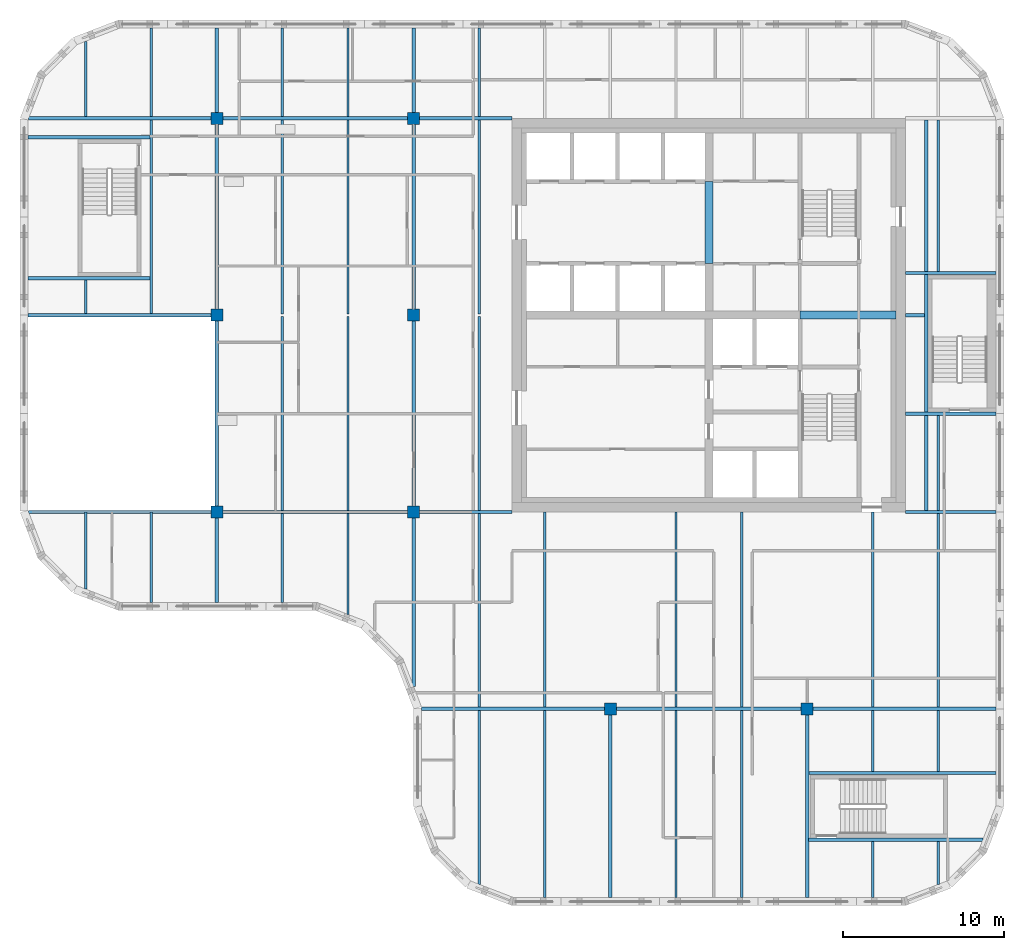
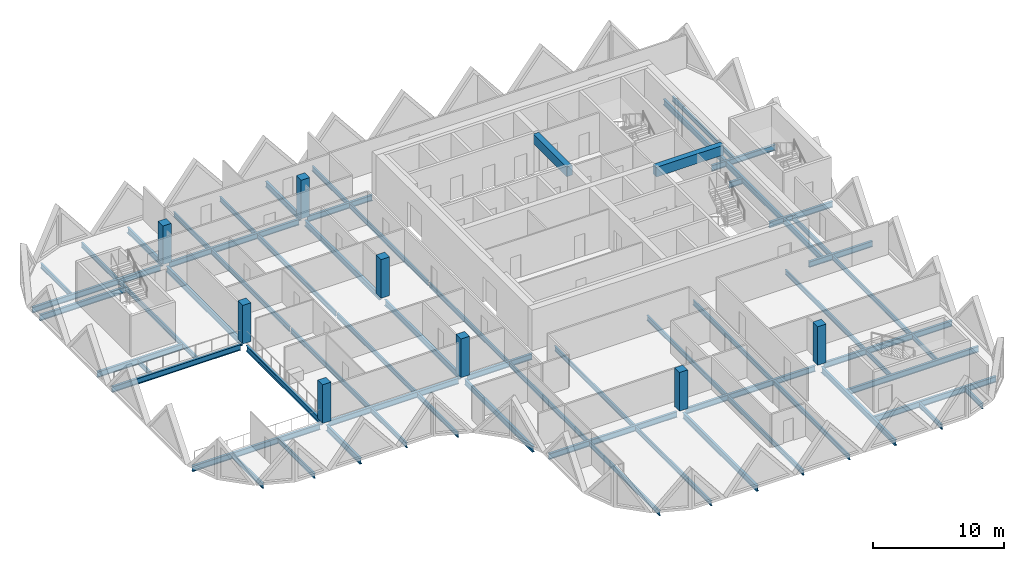
# One storey, part 1 of 12: 64 beams, 8 columns.
"""IFC4 building model written with IfcOpenShell, lengths in metres."""

from ifc_helpers import new_model, si_unit, direction, frame, origin, origin_2d, place, context, subcontext, project, spatial, rectangle, i_section, extrude, material, material_profile, profile_set, type_object, element, save


model = new_model("IFC4")

# Units and contexts
model_context = context("Model", 3, precision=1e-05, world=origin(), true_north=direction((0.0, 1.0)))
body_context = subcontext(model_context, "Body", "Model", "MODEL_VIEW")
ifc_project = project(units=[si_unit("LENGTHUNIT", "METRE"), si_unit("AREAUNIT", "SQUARE_METRE"), si_unit("VOLUMEUNIT", "CUBIC_METRE"), si_unit("PLANEANGLEUNIT", "RADIAN"), si_unit("MASSUNIT", "GRAM", prefix="KILO")], contexts=[model_context])

# Site, building, storey
site_placement = place(None, origin())
site = spatial("IfcSite", under=ifc_project, at=site_placement, CompositionType="ELEMENT")
building_placement = place(site_placement, origin())
building = spatial("IfcBuilding", under=site, at=building_placement, Name="Tessera Gate Towers", CompositionType="ELEMENT")
storey_placement = place(building_placement, frame((0.0, 0.0, 155.39990234375)))
storey = spatial("IfcBuildingStorey", under=building, at=storey_placement, Name="L38", CompositionType="ELEMENT", Elevation=155.39990234375)

# Columns
ifc_material_1 = material(Name="Concrete C70/85", Category="concrete")
ifc_material_profile_1 = material_profile(ifc_material_1, rectangle(XDim=0.75, YDim=0.75, at=origin_2d()), Name="RC 750x750")
ifc_profile_set_1 = profile_set([ifc_material_profile_1], Name="Concrete C70/85")
column_type = type_object("IfcColumnType", Name="COLUMN RC 750x750", PredefinedType="COLUMN", material=ifc_profile_set_1)
for number, where, z_axis, x_axis, name in (
    (1, (12.199951171875, 24.39990234375, 0.0), (0.0, 0.0, 1.0), (1.0, 0.0, 0.0), "T1-COL-2C-L38"),
    (2, (12.199951171875, 36.60009765625, 0.0), (0.0, 0.0, 1.0), (1.0, 0.0, 0.0), "T1-COL-2D-L38"),
    (3, (12.199951171875, 48.800048828125, 0.0), (0.0, 0.0, 1.0), (1.0, 0.0, 0.0), "T1-COL-2E-L38"),
    (4, (24.39990234375, 24.39990234375, 0.0), (0.0, 0.0, 1.0), (1.0, 0.0, 0.0), "T1-COL-3C-L38"),
    (5, (24.39990234375, 36.60009765625, 0.0), (0.0, 0.0, 1.0), (1.0, 0.0, 0.0), "T1-COL-3D-L38"),
    (6, (24.39990234375, 48.800048828125, 0.0), (0.0, 0.0, 1.0), (1.0, 0.0, 0.0), "T1-COL-3E-L38"),
    (7, (36.60009765625, 12.199951171875, 0.0), (0.0, 0.0, 1.0), (1.0, 0.0, 0.0), "T1-COL-4B-L38"),
    (8, (48.800048828125, 12.199951171875, 0.0), (0.0, 0.0, 1.0), (1.0, 0.0, 0.0), "T1-COL-5B-L38"),
):
    element("IfcColumn", number, at=place(storey_placement, frame(where, z_axis=z_axis, x_axis=x_axis)), inside=storey, type_object=column_type, Name=name, PredefinedType="COLUMN", context=body_context, shape_type="SweptSolid", body=[
        extrude(rectangle(XDim=0.75, YDim=0.75, at=origin_2d()), origin(), (0.0, 0.0, 1.0), 3.60009765625),
    ])

# Beams
ifc_material_2 = material(Name="Concrete C50/60", Category="concrete")
ifc_material_profile_2 = material_profile(ifc_material_2, rectangle(XDim=0.5, YDim=0.89990234375, at=origin_2d()), Name="RC 500x900")
ifc_profile_set_2 = profile_set([ifc_material_profile_2], Name="Concrete C50/60")
beam_type_1 = type_object("IfcBeamType", Name="COUPLING BEAM 500x900 C50/60", PredefinedType="BEAM", material=ifc_profile_set_2)
beam_1_placement = place(storey_placement, frame((48.35009765625, 36.60009765625, 3.150146484375), z_axis=(1.0, 0.0, 0.0), x_axis=(0.0, 1.0, 0.0)))
element("IfcBeam", 9, at=beam_1_placement, inside=storey, type_object=beam_type_1, Name="L38 coupling beam 1", PredefinedType="BEAM", context=body_context, shape_type="SweptSolid", body=[
    extrude(rectangle(XDim=0.5, YDim=0.89990234375, at=origin_2d()), origin(), (0.0, 0.0, 1.0), 5.949951171875),
])
beam_2_placement = place(storey_placement, frame((42.699951171875, 39.800048828125, 3.150146484375), z_axis=(0.0, 1.0, 0.0), x_axis=(-1.0, 0.0, 0.0)))
element("IfcBeam", 10, at=beam_2_placement, inside=storey, type_object=beam_type_1, Name="L38 coupling beam 2", PredefinedType="BEAM", context=body_context, shape_type="SweptSolid", body=[
    extrude(rectangle(XDim=0.5, YDim=0.89990234375, at=origin_2d()), origin(), (0.0, 0.0, 1.0), 5.099853515625),
])
ifc_material_3 = material(Name="Steel 350W", Category="steel")
ifc_material_profile_3 = material_profile(ifc_material_3, i_section(OverallWidth=0.208984375, OverallDepth=0.532958984375, WebThickness=0.01025390625, FlangeThickness=0.015625, at=origin_2d()), Name="W530x92")
ifc_profile_set_3 = profile_set([ifc_material_profile_3], Name="Steel 350W")
beam_type_2 = type_object("IfcBeamType", Name="FLOOR GIRDER W530x92", PredefinedType="BEAM", material=ifc_profile_set_3)
beam_3_placement = place(storey_placement, frame((24.89892578125, 12.199951171875, -0.46630859375), z_axis=(1.0, 0.0, 0.0), x_axis=(0.0, 1.0, 0.0)))
element("IfcBeam", 11, at=beam_3_placement, inside=storey, type_object=beam_type_2, Name="T1-GD-L38-4372", PredefinedType="BEAM", context=body_context, shape_type="SweptSolid", body=[
    extrude(i_section(OverallWidth=0.208984375, OverallDepth=0.532958984375, WebThickness=0.01025390625, FlangeThickness=0.015625, at=origin_2d()), origin(), (0.0, 0.0, 1.0), 11.326171875),
])
beam_4_placement = place(storey_placement, frame((36.97509765625, 12.199951171875, -0.46630859375), z_axis=(1.0, 0.0, 0.0), x_axis=(0.0, 1.0, 0.0)))
element("IfcBeam", 12, at=beam_4_placement, inside=storey, type_object=beam_type_2, Name="T1-GD-L38-4373", PredefinedType="BEAM", context=body_context, shape_type="SweptSolid", body=[
    extrude(i_section(OverallWidth=0.208984375, OverallDepth=0.532958984375, WebThickness=0.01025390625, FlangeThickness=0.015625, at=origin_2d()), origin(), (0.0, 0.0, 1.0), 11.449951171875),
])
beam_5_placement = place(storey_placement, frame((49.175048828125, 12.199951171875, -0.46630859375), z_axis=(1.0, 0.0, 0.0), x_axis=(0.0, 1.0, 0.0)))
element("IfcBeam", 13, at=beam_5_placement, inside=storey, type_object=beam_type_2, Name="T1-GD-L38-4374", PredefinedType="BEAM", context=body_context, shape_type="SweptSolid", body=[
    extrude(i_section(OverallWidth=0.208984375, OverallDepth=0.532958984375, WebThickness=0.01025390625, FlangeThickness=0.015625, at=origin_2d()), origin(), (0.0, 0.0, 1.0), 11.325927734375),
])
beam_6_placement = place(storey_placement, frame((0.534912109375, 24.39990234375, -0.46630859375), z_axis=(1.0, 0.0, 0.0), x_axis=(0.0, 1.0, 0.0)))
element("IfcBeam", 14, at=beam_6_placement, inside=storey, type_object=beam_type_2, Name="T1-GD-L38-4375", PredefinedType="BEAM", context=body_context, shape_type="SweptSolid", body=[
    extrude(i_section(OverallWidth=0.208984375, OverallDepth=0.532958984375, WebThickness=0.01025390625, FlangeThickness=0.015625, at=origin_2d()), origin(), (0.0, 0.0, 1.0), 11.2900390625),
])
beam_7_placement = place(storey_placement, frame((12.574951171875, 24.39990234375, -0.46630859375), z_axis=(1.0, 0.0, 0.0), x_axis=(0.0, 1.0, 0.0)))
element("IfcBeam", 15, at=beam_7_placement, inside=storey, type_object=beam_type_2, Name="T1-GD-L38-4376", PredefinedType="BEAM", context=body_context, shape_type="SweptSolid", body=[
    extrude(i_section(OverallWidth=0.208984375, OverallDepth=0.532958984375, WebThickness=0.01025390625, FlangeThickness=0.015625, at=origin_2d()), origin(), (0.0, 0.0, 1.0), 11.449951171875),
])
beam_8_placement = place(storey_placement, frame((24.77490234375, 24.39990234375, -0.46630859375), z_axis=(1.0, 0.0, 0.0), x_axis=(0.0, 1.0, 0.0)))
element("IfcBeam", 16, at=beam_8_placement, inside=storey, type_object=beam_type_2, Name="T1-GD-L38-4377", PredefinedType="BEAM", context=body_context, shape_type="SweptSolid", body=[
    extrude(i_section(OverallWidth=0.208984375, OverallDepth=0.532958984375, WebThickness=0.01025390625, FlangeThickness=0.015625, at=origin_2d()), origin(), (0.0, 0.0, 1.0), 5.72412109375),
])
beam_9_placement = place(storey_placement, frame((54.90087890625, 24.39990234375, -0.46630859375), z_axis=(1.0, 0.0, 0.0), x_axis=(0.0, 1.0, 0.0)))
element("IfcBeam", 17, at=beam_9_placement, inside=storey, type_object=beam_type_2, Name="T1-GD-L38-4378", PredefinedType="BEAM", context=body_context, shape_type="SweptSolid", body=[
    extrude(i_section(OverallWidth=0.208984375, OverallDepth=0.532958984375, WebThickness=0.01025390625, FlangeThickness=0.015625, at=origin_2d()), origin(), (0.0, 0.0, 1.0), 5.60009765625),
])
beam_10_placement = place(storey_placement, frame((0.4990234375, 36.60009765625, -0.46630859375), z_axis=(1.0, 0.0, 0.0), x_axis=(0.0, 1.0, 0.0)))
element("IfcBeam", 18, at=beam_10_placement, inside=storey, type_object=beam_type_2, Name="T1-GD-L38-4379", PredefinedType="BEAM", context=body_context, shape_type="SweptSolid", body=[
    extrude(i_section(OverallWidth=0.208984375, OverallDepth=0.532958984375, WebThickness=0.01025390625, FlangeThickness=0.015625, at=origin_2d()), origin(), (0.0, 0.0, 1.0), 11.325927734375),
])
beam_11_placement = place(storey_placement, frame((54.89892578125, 36.60009765625, -0.46630859375), z_axis=(1.0, 0.0, 0.0), x_axis=(0.0, 1.0, 0.0)))
element("IfcBeam", 19, at=beam_11_placement, inside=storey, type_object=beam_type_2, Name="T1-GD-L38-4380", PredefinedType="BEAM", context=body_context, shape_type="SweptSolid", body=[
    extrude(i_section(OverallWidth=0.208984375, OverallDepth=0.532958984375, WebThickness=0.01025390625, FlangeThickness=0.015625, at=origin_2d()), origin(), (0.0, 0.0, 1.0), 1.176513671875),
])
beam_12_placement = place(storey_placement, frame((0.534912109375, 48.800048828125, -0.46630859375), z_axis=(1.0, 0.0, 0.0), x_axis=(0.0, 1.0, 0.0)))
element("IfcBeam", 20, at=beam_12_placement, inside=storey, type_object=beam_type_2, Name="T1-GD-L38-4381", PredefinedType="BEAM", context=body_context, shape_type="SweptSolid", body=[
    extrude(i_section(OverallWidth=0.208984375, OverallDepth=0.532958984375, WebThickness=0.01025390625, FlangeThickness=0.015625, at=origin_2d()), origin(), (0.0, 0.0, 1.0), 11.2900390625),
])
beam_13_placement = place(storey_placement, frame((12.574951171875, 48.800048828125, -0.46630859375), z_axis=(1.0, 0.0, 0.0), x_axis=(0.0, 1.0, 0.0)))
element("IfcBeam", 21, at=beam_13_placement, inside=storey, type_object=beam_type_2, Name="T1-GD-L38-4382", PredefinedType="BEAM", context=body_context, shape_type="SweptSolid", body=[
    extrude(i_section(OverallWidth=0.208984375, OverallDepth=0.532958984375, WebThickness=0.01025390625, FlangeThickness=0.015625, at=origin_2d()), origin(), (0.0, 0.0, 1.0), 11.449951171875),
])
beam_14_placement = place(storey_placement, frame((24.77490234375, 48.800048828125, -0.46630859375), z_axis=(1.0, 0.0, 0.0), x_axis=(0.0, 1.0, 0.0)))
element("IfcBeam", 22, at=beam_14_placement, inside=storey, type_object=beam_type_2, Name="T1-GD-L38-4383", PredefinedType="BEAM", context=body_context, shape_type="SweptSolid", body=[
    extrude(i_section(OverallWidth=0.208984375, OverallDepth=0.532958984375, WebThickness=0.01025390625, FlangeThickness=0.015625, at=origin_2d()), origin(), (0.0, 0.0, 1.0), 5.72412109375),
])
beam_15_placement = place(storey_placement, frame((12.199951171875, 18.799072265625, -0.46630859375), z_axis=(0.0, 1.0, 0.0), x_axis=(-1.0, 0.0, 0.0)))
element("IfcBeam", 23, at=beam_15_placement, inside=storey, type_object=beam_type_2, Name="T1-GD-L38-4385", PredefinedType="BEAM", context=body_context, shape_type="SweptSolid", body=[
    extrude(i_section(OverallWidth=0.208984375, OverallDepth=0.532958984375, WebThickness=0.01025390625, FlangeThickness=0.015625, at=origin_2d()), origin(), (0.0, 0.0, 1.0), 5.225830078125),
])
beam_16_placement = place(storey_placement, frame((12.199951171875, 24.77490234375, -0.46630859375), z_axis=(0.0, 1.0, 0.0), x_axis=(-1.0, 0.0, 0.0)))
element("IfcBeam", 24, at=beam_16_placement, inside=storey, type_object=beam_type_2, Name="T1-GD-L38-4386", PredefinedType="BEAM", context=body_context, shape_type="SweptSolid", body=[
    extrude(i_section(OverallWidth=0.208984375, OverallDepth=0.532958984375, WebThickness=0.01025390625, FlangeThickness=0.015625, at=origin_2d()), origin(), (0.0, 0.0, 1.0), 11.4501953125),
])
beam_17_placement = place(storey_placement, frame((12.199951171875, 36.97509765625, -0.46630859375), z_axis=(0.0, 1.0, 0.0), x_axis=(-1.0, 0.0, 0.0)))
element("IfcBeam", 25, at=beam_17_placement, inside=storey, type_object=beam_type_2, Name="T1-GD-L38-4387", PredefinedType="BEAM", context=body_context, shape_type="SweptSolid", body=[
    extrude(i_section(OverallWidth=0.208984375, OverallDepth=0.532958984375, WebThickness=0.01025390625, FlangeThickness=0.015625, at=origin_2d()), origin(), (0.0, 0.0, 1.0), 11.449951171875),
])
beam_18_placement = place(storey_placement, frame((12.199951171875, 49.175048828125, -0.46630859375), z_axis=(0.0, 1.0, 0.0), x_axis=(-1.0, 0.0, 0.0)))
element("IfcBeam", 26, at=beam_18_placement, inside=storey, type_object=beam_type_2, Name="T1-GD-L38-4388", PredefinedType="BEAM", context=body_context, shape_type="SweptSolid", body=[
    extrude(i_section(OverallWidth=0.208984375, OverallDepth=0.532958984375, WebThickness=0.01025390625, FlangeThickness=0.015625, at=origin_2d()), origin(), (0.0, 0.0, 1.0), 5.225830078125),
])
beam_19_placement = place(storey_placement, frame((24.39990234375, 13.58642578125, -0.46630859375), z_axis=(0.0, 1.0, 0.0), x_axis=(-1.0, 0.0, 0.0)))
element("IfcBeam", 27, at=beam_19_placement, inside=storey, type_object=beam_type_2, Name="T1-GD-L38-4389", PredefinedType="BEAM", context=body_context, shape_type="SweptSolid", body=[
    extrude(i_section(OverallWidth=0.208984375, OverallDepth=0.532958984375, WebThickness=0.01025390625, FlangeThickness=0.015625, at=origin_2d()), origin(), (0.0, 0.0, 1.0), 10.4384765625),
])
beam_20_placement = place(storey_placement, frame((24.39990234375, 24.77490234375, -0.46630859375), z_axis=(0.0, 1.0, 0.0), x_axis=(-1.0, 0.0, 0.0)))
element("IfcBeam", 28, at=beam_20_placement, inside=storey, type_object=beam_type_2, Name="T1-GD-L38-4390", PredefinedType="BEAM", context=body_context, shape_type="SweptSolid", body=[
    extrude(i_section(OverallWidth=0.208984375, OverallDepth=0.532958984375, WebThickness=0.01025390625, FlangeThickness=0.015625, at=origin_2d()), origin(), (0.0, 0.0, 1.0), 11.4501953125),
])
beam_21_placement = place(storey_placement, frame((24.39990234375, 36.97509765625, -0.46630859375), z_axis=(0.0, 1.0, 0.0), x_axis=(-1.0, 0.0, 0.0)))
element("IfcBeam", 29, at=beam_21_placement, inside=storey, type_object=beam_type_2, Name="T1-GD-L38-4391", PredefinedType="BEAM", context=body_context, shape_type="SweptSolid", body=[
    extrude(i_section(OverallWidth=0.208984375, OverallDepth=0.532958984375, WebThickness=0.01025390625, FlangeThickness=0.015625, at=origin_2d()), origin(), (0.0, 0.0, 1.0), 11.449951171875),
])
beam_22_placement = place(storey_placement, frame((24.39990234375, 49.175048828125, -0.46630859375), z_axis=(0.0, 1.0, 0.0), x_axis=(-1.0, 0.0, 0.0)))
element("IfcBeam", 30, at=beam_22_placement, inside=storey, type_object=beam_type_2, Name="T1-GD-L38-4392", PredefinedType="BEAM", context=body_context, shape_type="SweptSolid", body=[
    extrude(i_section(OverallWidth=0.208984375, OverallDepth=0.532958984375, WebThickness=0.01025390625, FlangeThickness=0.015625, at=origin_2d()), origin(), (0.0, 0.0, 1.0), 5.225830078125),
])
for number, where, z_axis, x_axis, name in (
    (31, (36.60009765625, 0.4990234375, -0.46630859375), (0.0, 1.0, 0.0), (-1.0, 0.0, 0.0), "T1-GD-L38-4393"),
    (32, (48.800048828125, 0.4990234375, -0.46630859375), (0.0, 1.0, 0.0), (-1.0, 0.0, 0.0), "T1-GD-L38-4394"),
):
    element("IfcBeam", number, at=place(storey_placement, frame(where, z_axis=z_axis, x_axis=x_axis)), inside=storey, type_object=beam_type_2, Name=name, PredefinedType="BEAM", context=body_context, shape_type="SweptSolid", body=[
        extrude(i_section(OverallWidth=0.208984375, OverallDepth=0.532958984375, WebThickness=0.01025390625, FlangeThickness=0.015625, at=origin_2d()), origin(), (0.0, 0.0, 1.0), 11.325927734375),
    ])
for number, where, z_axis, x_axis, name in (
    (33, (0.4990234375, 38.8798828125, -0.46630859375), (1.0, 0.0, 0.0), (0.0, 1.0, 0.0), "T1-GD-L38-4395"),
    (34, (0.4990234375, 47.6201171875, -0.46630859375), (1.0, 0.0, 0.0), (0.0, 1.0, 0.0), "T1-GD-L38-4396"),
):
    element("IfcBeam", number, at=place(storey_placement, frame(where, z_axis=z_axis, x_axis=x_axis)), inside=storey, type_object=beam_type_2, Name=name, PredefinedType="BEAM", context=body_context, shape_type="SweptSolid", body=[
        extrude(i_section(OverallWidth=0.208984375, OverallDepth=0.532958984375, WebThickness=0.01025390625, FlangeThickness=0.015625, at=origin_2d()), origin(), (0.0, 0.0, 1.0), 7.557861328125),
    ])
beam_23_placement = place(storey_placement, frame((48.87646484375, 4.080078125, -0.46630859375), z_axis=(1.0, 0.0, 0.0), x_axis=(0.0, 1.0, 0.0)))
element("IfcBeam", 35, at=beam_23_placement, inside=storey, type_object=beam_type_2, Name="T1-GD-L38-4397", PredefinedType="BEAM", context=body_context, shape_type="SweptSolid", body=[
    extrude(i_section(OverallWidth=0.208984375, OverallDepth=0.532958984375, WebThickness=0.01025390625, FlangeThickness=0.015625, at=origin_2d()), origin(), (0.0, 0.0, 1.0), 10.809326171875),
])
beam_24_placement = place(storey_placement, frame((48.87646484375, 8.219970703125, -0.46630859375), z_axis=(1.0, 0.0, 0.0), x_axis=(0.0, 1.0, 0.0)))
element("IfcBeam", 36, at=beam_24_placement, inside=storey, type_object=beam_type_2, Name="T1-GD-L38-4398", PredefinedType="BEAM", context=body_context, shape_type="SweptSolid", body=[
    extrude(i_section(OverallWidth=0.208984375, OverallDepth=0.532958984375, WebThickness=0.01025390625, FlangeThickness=0.015625, at=origin_2d()), origin(), (0.0, 0.0, 1.0), 11.62451171875),
])
for number, where, z_axis, x_axis, name in (
    (37, (54.89892578125, 30.47998046875, -0.46630859375), (1.0, 0.0, 0.0), (0.0, 1.0, 0.0), "T1-GD-L38-4399"),
    (38, (54.89892578125, 39.219970703125, -0.46630859375), (1.0, 0.0, 0.0), (0.0, 1.0, 0.0), "T1-GD-L38-4400"),
):
    element("IfcBeam", number, at=place(storey_placement, frame(where, z_axis=z_axis, x_axis=x_axis)), inside=storey, type_object=beam_type_2, Name=name, PredefinedType="BEAM", context=body_context, shape_type="SweptSolid", body=[
        extrude(i_section(OverallWidth=0.208984375, OverallDepth=0.532958984375, WebThickness=0.01025390625, FlangeThickness=0.015625, at=origin_2d()), origin(), (0.0, 0.0, 1.0), 5.60205078125),
    ])
beam_25_placement = place(storey_placement, frame((56.179931640625, 24.50439453125, -0.46630859375), z_axis=(0.0, 1.0, 0.0), x_axis=(-1.0, 0.0, 0.0)))
element("IfcBeam", 39, at=beam_25_placement, inside=storey, type_object=beam_type_2, Name="T1-GD-L38-4401", PredefinedType="BEAM", context=body_context, shape_type="SweptSolid", body=[
    extrude(i_section(OverallWidth=0.208984375, OverallDepth=0.532958984375, WebThickness=0.01025390625, FlangeThickness=0.015625, at=origin_2d()), origin(), (0.0, 0.0, 1.0), 24.191162109375),
])
ifc_material_4 = material(Name="Steel 350W", Category="steel")
ifc_material_profile_4 = material_profile(ifc_material_4, i_section(OverallWidth=0.153076171875, OverallDepth=0.455078125, WebThickness=0.008056640625, FlangeThickness=0.01318359375, at=origin_2d()), Name="W460x60")
ifc_profile_set_4 = profile_set([ifc_material_profile_4], Name="Steel 350W")
beam_type_3 = type_object("IfcBeamType", Name="FLOOR SECONDARY W460x60", PredefinedType="BEAM", material=ifc_profile_set_4)
beam_26_placement = place(storey_placement, frame((4.066650390625, 19.620361328125, -0.427490234375), z_axis=(0.0, 1.0, 0.0), x_axis=(-1.0, 0.0, 0.0)))
element("IfcBeam", 40, at=beam_26_placement, inside=storey, type_object=beam_type_3, Name="T1-BM-L38-4402", PredefinedType="BEAM", context=body_context, shape_type="SweptSolid", body=[
    extrude(i_section(OverallWidth=0.153076171875, OverallDepth=0.455078125, WebThickness=0.008056640625, FlangeThickness=0.01318359375, at=origin_2d()), origin(), (0.0, 0.0, 1.0), 4.779541015625),
])
beam_27_placement = place(storey_placement, frame((4.066650390625, 36.70458984375, -0.427490234375), z_axis=(0.0, 1.0, 0.0), x_axis=(-1.0, 0.0, 0.0)))
element("IfcBeam", 41, at=beam_27_placement, inside=storey, type_object=beam_type_3, Name="T1-BM-L38-4403", PredefinedType="BEAM", context=body_context, shape_type="SweptSolid", body=[
    extrude(i_section(OverallWidth=0.153076171875, OverallDepth=0.455078125, WebThickness=0.008056640625, FlangeThickness=0.01318359375, at=origin_2d()), origin(), (0.0, 0.0, 1.0), 2.07080078125),
])
beam_28_placement = place(storey_placement, frame((4.066650390625, 48.904541015625, -0.427490234375), z_axis=(0.0, 1.0, 0.0), x_axis=(-1.0, 0.0, 0.0)))
element("IfcBeam", 42, at=beam_28_placement, inside=storey, type_object=beam_type_3, Name="T1-BM-L38-4404", PredefinedType="BEAM", context=body_context, shape_type="SweptSolid", body=[
    extrude(i_section(OverallWidth=0.153076171875, OverallDepth=0.455078125, WebThickness=0.008056640625, FlangeThickness=0.01318359375, at=origin_2d()), origin(), (0.0, 0.0, 1.0), 4.675048828125),
])
beam_29_placement = place(storey_placement, frame((8.13330078125, 18.800048828125, -0.427490234375), z_axis=(0.0, 1.0, 0.0), x_axis=(-1.0, 0.0, 0.0)))
element("IfcBeam", 43, at=beam_29_placement, inside=storey, type_object=beam_type_3, Name="T1-BM-L38-4405", PredefinedType="BEAM", context=body_context, shape_type="SweptSolid", body=[
    extrude(i_section(OverallWidth=0.153076171875, OverallDepth=0.455078125, WebThickness=0.008056640625, FlangeThickness=0.01318359375, at=origin_2d()), origin(), (0.0, 0.0, 1.0), 5.599853515625),
])
beam_30_placement = place(storey_placement, frame((8.13330078125, 36.70458984375, -0.427490234375), z_axis=(0.0, 1.0, 0.0), x_axis=(-1.0, 0.0, 0.0)))
element("IfcBeam", 44, at=beam_30_placement, inside=storey, type_object=beam_type_3, Name="T1-BM-L38-4406", PredefinedType="BEAM", context=body_context, shape_type="SweptSolid", body=[
    extrude(i_section(OverallWidth=0.153076171875, OverallDepth=0.455078125, WebThickness=0.008056640625, FlangeThickness=0.01318359375, at=origin_2d()), origin(), (0.0, 0.0, 1.0), 11.990966796875),
])
for number, where, z_axis, x_axis, name in (
    (45, (8.13330078125, 48.904541015625, -0.427490234375), (0.0, 1.0, 0.0), (-1.0, 0.0, 0.0), "T1-BM-L38-4407"),
    (46, (16.2666015625, 18.800048828125, -0.427490234375), (0.0, 1.0, 0.0), (-1.0, 0.0, 0.0), "T1-BM-L38-4408"),
):
    element("IfcBeam", number, at=place(storey_placement, frame(where, z_axis=z_axis, x_axis=x_axis)), inside=storey, type_object=beam_type_3, Name=name, PredefinedType="BEAM", context=body_context, shape_type="SweptSolid", body=[
        extrude(i_section(OverallWidth=0.153076171875, OverallDepth=0.455078125, WebThickness=0.008056640625, FlangeThickness=0.01318359375, at=origin_2d()), origin(), (0.0, 0.0, 1.0), 5.495361328125),
    ])
for number, where, z_axis, x_axis, name in (
    (47, (16.2666015625, 24.50439453125, -0.427490234375), (0.0, 1.0, 0.0), (-1.0, 0.0, 0.0), "T1-BM-L38-4409"),
    (48, (16.2666015625, 36.679931640625, -0.427490234375), (0.0, 1.0, 0.0), (-1.0, 0.0, 0.0), "T1-BM-L38-4410"),
):
    element("IfcBeam", number, at=place(storey_placement, frame(where, z_axis=z_axis, x_axis=x_axis)), inside=storey, type_object=beam_type_3, Name=name, PredefinedType="BEAM", context=body_context, shape_type="SweptSolid", body=[
        extrude(i_section(OverallWidth=0.153076171875, OverallDepth=0.455078125, WebThickness=0.008056640625, FlangeThickness=0.01318359375, at=origin_2d()), origin(), (0.0, 0.0, 1.0), 12.015625),
    ])
beam_31_placement = place(storey_placement, frame((16.2666015625, 48.904541015625, -0.427490234375), z_axis=(0.0, 1.0, 0.0), x_axis=(-1.0, 0.0, 0.0)))
element("IfcBeam", 49, at=beam_31_placement, inside=storey, type_object=beam_type_3, Name="T1-BM-L38-4411", PredefinedType="BEAM", context=body_context, shape_type="SweptSolid", body=[
    extrude(i_section(OverallWidth=0.153076171875, OverallDepth=0.455078125, WebThickness=0.008056640625, FlangeThickness=0.01318359375, at=origin_2d()), origin(), (0.0, 0.0, 1.0), 5.495361328125),
])
beam_32_placement = place(storey_placement, frame((20.333251953125, 18.051513671875, -0.427490234375), z_axis=(0.0, 1.0, 0.0), x_axis=(-1.0, 0.0, 0.0)))
element("IfcBeam", 50, at=beam_32_placement, inside=storey, type_object=beam_type_3, Name="T1-BM-L38-4412", PredefinedType="BEAM", context=body_context, shape_type="SweptSolid", body=[
    extrude(i_section(OverallWidth=0.153076171875, OverallDepth=0.455078125, WebThickness=0.008056640625, FlangeThickness=0.01318359375, at=origin_2d()), origin(), (0.0, 0.0, 1.0), 6.243896484375),
])
for number, where, z_axis, x_axis, name in (
    (51, (20.333251953125, 24.50439453125, -0.427490234375), (0.0, 1.0, 0.0), (-1.0, 0.0, 0.0), "T1-BM-L38-4413"),
    (52, (20.333251953125, 36.679931640625, -0.427490234375), (0.0, 1.0, 0.0), (-1.0, 0.0, 0.0), "T1-BM-L38-4414"),
):
    element("IfcBeam", number, at=place(storey_placement, frame(where, z_axis=z_axis, x_axis=x_axis)), inside=storey, type_object=beam_type_3, Name=name, PredefinedType="BEAM", context=body_context, shape_type="SweptSolid", body=[
        extrude(i_section(OverallWidth=0.153076171875, OverallDepth=0.455078125, WebThickness=0.008056640625, FlangeThickness=0.01318359375, at=origin_2d()), origin(), (0.0, 0.0, 1.0), 12.015625),
    ])
beam_33_placement = place(storey_placement, frame((20.333251953125, 48.904541015625, -0.427490234375), z_axis=(0.0, 1.0, 0.0), x_axis=(-1.0, 0.0, 0.0)))
element("IfcBeam", 53, at=beam_33_placement, inside=storey, type_object=beam_type_3, Name="T1-BM-L38-4415", PredefinedType="BEAM", context=body_context, shape_type="SweptSolid", body=[
    extrude(i_section(OverallWidth=0.153076171875, OverallDepth=0.455078125, WebThickness=0.008056640625, FlangeThickness=0.01318359375, at=origin_2d()), origin(), (0.0, 0.0, 1.0), 5.495361328125),
])
beam_34_placement = place(storey_placement, frame((28.466796875, 1.3203125, -0.427490234375), z_axis=(0.0, 1.0, 0.0), x_axis=(-1.0, 0.0, 0.0)))
element("IfcBeam", 54, at=beam_34_placement, inside=storey, type_object=beam_type_3, Name="T1-BM-L38-4416", PredefinedType="BEAM", context=body_context, shape_type="SweptSolid", body=[
    extrude(i_section(OverallWidth=0.153076171875, OverallDepth=0.455078125, WebThickness=0.008056640625, FlangeThickness=0.01318359375, at=origin_2d()), origin(), (0.0, 0.0, 1.0), 10.775146484375),
])
beam_35_placement = place(storey_placement, frame((28.466796875, 12.304443359375, -0.427490234375), z_axis=(0.0, 1.0, 0.0), x_axis=(-1.0, 0.0, 0.0)))
element("IfcBeam", 55, at=beam_35_placement, inside=storey, type_object=beam_type_3, Name="T1-BM-L38-4417", PredefinedType="BEAM", context=body_context, shape_type="SweptSolid", body=[
    extrude(i_section(OverallWidth=0.153076171875, OverallDepth=0.455078125, WebThickness=0.008056640625, FlangeThickness=0.01318359375, at=origin_2d()), origin(), (0.0, 0.0, 1.0), 11.990966796875),
])
for number, where, z_axis, x_axis, name in (
    (56, (28.466796875, 24.50439453125, -0.427490234375), (0.0, 1.0, 0.0), (-1.0, 0.0, 0.0), "T1-BM-L38-4418"),
    (57, (28.466796875, 36.679931640625, -0.427490234375), (0.0, 1.0, 0.0), (-1.0, 0.0, 0.0), "T1-BM-L38-4419"),
):
    element("IfcBeam", number, at=place(storey_placement, frame(where, z_axis=z_axis, x_axis=x_axis)), inside=storey, type_object=beam_type_3, Name=name, PredefinedType="BEAM", context=body_context, shape_type="SweptSolid", body=[
        extrude(i_section(OverallWidth=0.153076171875, OverallDepth=0.455078125, WebThickness=0.008056640625, FlangeThickness=0.01318359375, at=origin_2d()), origin(), (0.0, 0.0, 1.0), 12.015625),
    ])
beam_36_placement = place(storey_placement, frame((28.466796875, 48.904541015625, -0.427490234375), z_axis=(0.0, 1.0, 0.0), x_axis=(-1.0, 0.0, 0.0)))
element("IfcBeam", 58, at=beam_36_placement, inside=storey, type_object=beam_type_3, Name="T1-BM-L38-4420", PredefinedType="BEAM", context=body_context, shape_type="SweptSolid", body=[
    extrude(i_section(OverallWidth=0.153076171875, OverallDepth=0.455078125, WebThickness=0.008056640625, FlangeThickness=0.01318359375, at=origin_2d()), origin(), (0.0, 0.0, 1.0), 5.495361328125),
])
beam_37_placement = place(storey_placement, frame((32.533203125, 0.5, -0.427490234375), z_axis=(0.0, 1.0, 0.0), x_axis=(-1.0, 0.0, 0.0)))
element("IfcBeam", 59, at=beam_37_placement, inside=storey, type_object=beam_type_3, Name="T1-BM-L38-4421", PredefinedType="BEAM", context=body_context, shape_type="SweptSolid", body=[
    extrude(i_section(OverallWidth=0.153076171875, OverallDepth=0.455078125, WebThickness=0.008056640625, FlangeThickness=0.01318359375, at=origin_2d()), origin(), (0.0, 0.0, 1.0), 11.595458984375),
])
beam_38_placement = place(storey_placement, frame((32.533203125, 12.304443359375, -0.427490234375), z_axis=(0.0, 1.0, 0.0), x_axis=(-1.0, 0.0, 0.0)))
element("IfcBeam", 60, at=beam_38_placement, inside=storey, type_object=beam_type_3, Name="T1-BM-L38-4422", PredefinedType="BEAM", context=body_context, shape_type="SweptSolid", body=[
    extrude(i_section(OverallWidth=0.153076171875, OverallDepth=0.455078125, WebThickness=0.008056640625, FlangeThickness=0.01318359375, at=origin_2d()), origin(), (0.0, 0.0, 1.0), 12.095458984375),
])
beam_39_placement = place(storey_placement, frame((40.666748046875, 0.5, -0.427490234375), z_axis=(0.0, 1.0, 0.0), x_axis=(-1.0, 0.0, 0.0)))
element("IfcBeam", 61, at=beam_39_placement, inside=storey, type_object=beam_type_3, Name="T1-BM-L38-4425", PredefinedType="BEAM", context=body_context, shape_type="SweptSolid", body=[
    extrude(i_section(OverallWidth=0.153076171875, OverallDepth=0.455078125, WebThickness=0.008056640625, FlangeThickness=0.01318359375, at=origin_2d()), origin(), (0.0, 0.0, 1.0), 11.595458984375),
])
beam_40_placement = place(storey_placement, frame((40.666748046875, 12.304443359375, -0.427490234375), z_axis=(0.0, 1.0, 0.0), x_axis=(-1.0, 0.0, 0.0)))
element("IfcBeam", 62, at=beam_40_placement, inside=storey, type_object=beam_type_3, Name="T1-BM-L38-4426", PredefinedType="BEAM", context=body_context, shape_type="SweptSolid", body=[
    extrude(i_section(OverallWidth=0.153076171875, OverallDepth=0.455078125, WebThickness=0.008056640625, FlangeThickness=0.01318359375, at=origin_2d()), origin(), (0.0, 0.0, 1.0), 12.095458984375),
])
beam_41_placement = place(storey_placement, frame((44.7333984375, 0.5, -0.427490234375), z_axis=(0.0, 1.0, 0.0), x_axis=(-1.0, 0.0, 0.0)))
element("IfcBeam", 63, at=beam_41_placement, inside=storey, type_object=beam_type_3, Name="T1-BM-L38-4428", PredefinedType="BEAM", context=body_context, shape_type="SweptSolid", body=[
    extrude(i_section(OverallWidth=0.153076171875, OverallDepth=0.455078125, WebThickness=0.008056640625, FlangeThickness=0.01318359375, at=origin_2d()), origin(), (0.0, 0.0, 1.0), 11.595458984375),
])
beam_42_placement = place(storey_placement, frame((44.7333984375, 12.304443359375, -0.427490234375), z_axis=(0.0, 1.0, 0.0), x_axis=(-1.0, 0.0, 0.0)))
element("IfcBeam", 64, at=beam_42_placement, inside=storey, type_object=beam_type_3, Name="T1-BM-L38-4429", PredefinedType="BEAM", context=body_context, shape_type="SweptSolid", body=[
    extrude(i_section(OverallWidth=0.153076171875, OverallDepth=0.455078125, WebThickness=0.008056640625, FlangeThickness=0.01318359375, at=origin_2d()), origin(), (0.0, 0.0, 1.0), 12.095458984375),
])
beam_43_placement = place(storey_placement, frame((52.86669921875, 0.5, -0.427490234375), z_axis=(0.0, 1.0, 0.0), x_axis=(-1.0, 0.0, 0.0)))
element("IfcBeam", 65, at=beam_43_placement, inside=storey, type_object=beam_type_3, Name="T1-BM-L38-4432", PredefinedType="BEAM", context=body_context, shape_type="SweptSolid", body=[
    extrude(i_section(OverallWidth=0.153076171875, OverallDepth=0.455078125, WebThickness=0.008056640625, FlangeThickness=0.01318359375, at=origin_2d()), origin(), (0.0, 0.0, 1.0), 3.4755859375),
])
beam_44_placement = place(storey_placement, frame((52.86669921875, 8.324462890625, -0.427490234375), z_axis=(0.0, 1.0, 0.0), x_axis=(-1.0, 0.0, 0.0)))
element("IfcBeam", 66, at=beam_44_placement, inside=storey, type_object=beam_type_3, Name="T1-BM-L38-4433", PredefinedType="BEAM", context=body_context, shape_type="SweptSolid", body=[
    extrude(i_section(OverallWidth=0.153076171875, OverallDepth=0.455078125, WebThickness=0.008056640625, FlangeThickness=0.01318359375, at=origin_2d()), origin(), (0.0, 0.0, 1.0), 3.77099609375),
])
beam_45_placement = place(storey_placement, frame((52.86669921875, 12.304443359375, -0.427490234375), z_axis=(0.0, 1.0, 0.0), x_axis=(-1.0, 0.0, 0.0)))
element("IfcBeam", 67, at=beam_45_placement, inside=storey, type_object=beam_type_3, Name="T1-BM-L38-4434", PredefinedType="BEAM", context=body_context, shape_type="SweptSolid", body=[
    extrude(i_section(OverallWidth=0.153076171875, OverallDepth=0.455078125, WebThickness=0.008056640625, FlangeThickness=0.01318359375, at=origin_2d()), origin(), (0.0, 0.0, 1.0), 12.095458984375),
])
beam_46_placement = place(storey_placement, frame((56.933349609375, 1.3203125, -0.427490234375), z_axis=(0.0, 1.0, 0.0), x_axis=(-1.0, 0.0, 0.0)))
element("IfcBeam", 68, at=beam_46_placement, inside=storey, type_object=beam_type_3, Name="T1-BM-L38-4436", PredefinedType="BEAM", context=body_context, shape_type="SweptSolid", body=[
    extrude(i_section(OverallWidth=0.153076171875, OverallDepth=0.455078125, WebThickness=0.008056640625, FlangeThickness=0.01318359375, at=origin_2d()), origin(), (0.0, 0.0, 1.0), 2.6552734375),
])
beam_47_placement = place(storey_placement, frame((56.933349609375, 8.324462890625, -0.427490234375), z_axis=(0.0, 1.0, 0.0), x_axis=(-1.0, 0.0, 0.0)))
element("IfcBeam", 69, at=beam_47_placement, inside=storey, type_object=beam_type_3, Name="T1-BM-L38-4437", PredefinedType="BEAM", context=body_context, shape_type="SweptSolid", body=[
    extrude(i_section(OverallWidth=0.153076171875, OverallDepth=0.455078125, WebThickness=0.008056640625, FlangeThickness=0.01318359375, at=origin_2d()), origin(), (0.0, 0.0, 1.0), 3.77099609375),
])
beam_48_placement = place(storey_placement, frame((56.933349609375, 12.304443359375, -0.427490234375), z_axis=(0.0, 1.0, 0.0), x_axis=(-1.0, 0.0, 0.0)))
element("IfcBeam", 70, at=beam_48_placement, inside=storey, type_object=beam_type_3, Name="T1-BM-L38-4438", PredefinedType="BEAM", context=body_context, shape_type="SweptSolid", body=[
    extrude(i_section(OverallWidth=0.153076171875, OverallDepth=0.455078125, WebThickness=0.008056640625, FlangeThickness=0.01318359375, at=origin_2d()), origin(), (0.0, 0.0, 1.0), 11.990966796875),
])
beam_49_placement = place(storey_placement, frame((56.933349609375, 24.50439453125, -0.427490234375), z_axis=(0.0, 1.0, 0.0), x_axis=(-1.0, 0.0, 0.0)))
element("IfcBeam", 71, at=beam_49_placement, inside=storey, type_object=beam_type_3, Name="T1-BM-L38-4439", PredefinedType="BEAM", context=body_context, shape_type="SweptSolid", body=[
    extrude(i_section(OverallWidth=0.153076171875, OverallDepth=0.455078125, WebThickness=0.008056640625, FlangeThickness=0.01318359375, at=origin_2d()), origin(), (0.0, 0.0, 1.0), 5.87109375),
])
beam_50_placement = place(storey_placement, frame((56.933349609375, 39.324462890625, -0.427490234375), z_axis=(0.0, 1.0, 0.0), x_axis=(-1.0, 0.0, 0.0)))
element("IfcBeam", 72, at=beam_50_placement, inside=storey, type_object=beam_type_3, Name="T1-BM-L38-4440", PredefinedType="BEAM", context=body_context, shape_type="SweptSolid", body=[
    extrude(i_section(OverallWidth=0.153076171875, OverallDepth=0.455078125, WebThickness=0.008056640625, FlangeThickness=0.01318359375, at=origin_2d()), origin(), (0.0, 0.0, 1.0), 9.37109375),
])

save(model, "model.ifc")
